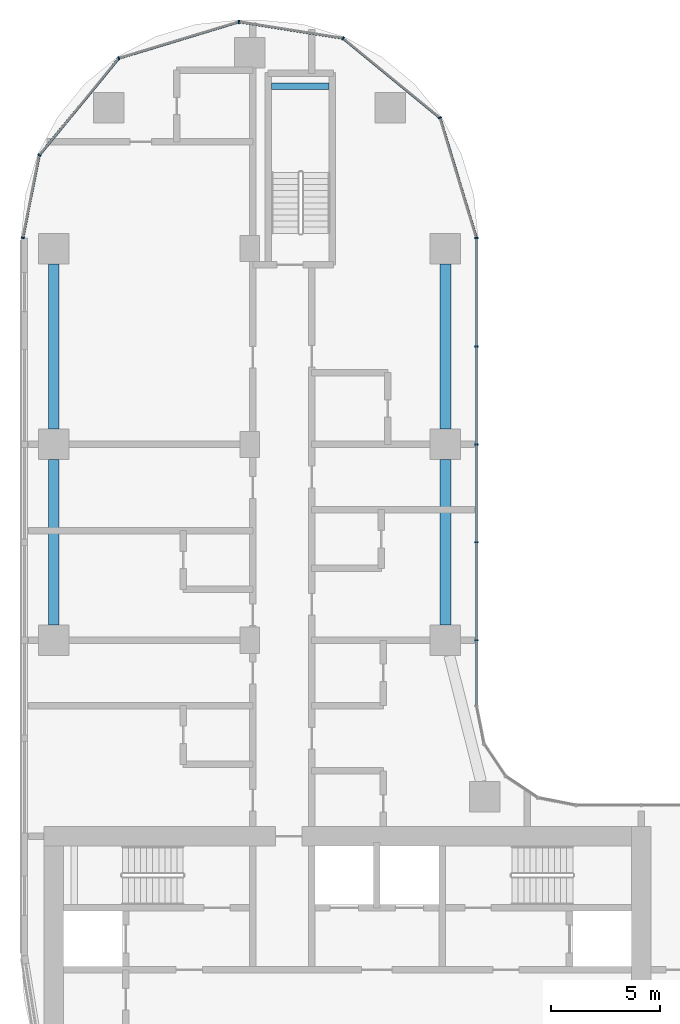
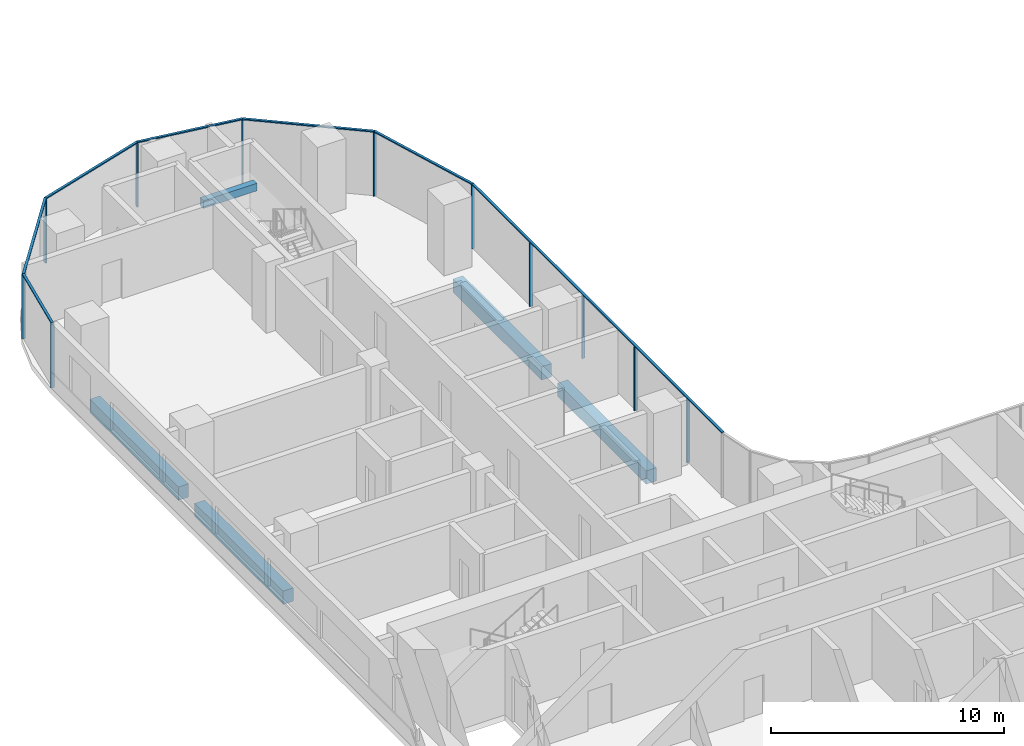
# One storey, part 6 of 33: 18 members, 5 beams, 2 elements without a shape of their own.
"""IFC4 building model written with IfcOpenShell, lengths in metres."""

from ifc_helpers import new_model, si_unit, direction, frame, origin, origin_2d, place, context, subcontext, project, spatial, rectangle, extrude, material, material_profile, profile_set, type_object, element, aggregate, save


model = new_model("IFC4")

# Units and contexts
model_context = context("Model", 3, precision=1e-05, world=origin(), true_north=direction((0.0, 1.0)))
body_context = subcontext(model_context, "Body", "Model", "MODEL_VIEW")
ifc_project = project(units=[si_unit("LENGTHUNIT", "METRE"), si_unit("AREAUNIT", "SQUARE_METRE"), si_unit("VOLUMEUNIT", "CUBIC_METRE"), si_unit("PLANEANGLEUNIT", "RADIAN"), si_unit("MASSUNIT", "GRAM", prefix="KILO")], contexts=[model_context])

# Site, building, storey
site_placement = place(None, origin())
site = spatial("IfcSite", under=ifc_project, at=site_placement, CompositionType="ELEMENT")
building_placement = place(site_placement, origin())
building = spatial("IfcBuilding", under=site, at=building_placement, Name="Ogive Portal Towers", CompositionType="ELEMENT")
storey_placement = place(building_placement, frame((0.0, 0.0, 77.89990234375)))
storey = spatial("IfcBuildingStorey", under=building, at=storey_placement, Name="L18", CompositionType="ELEMENT", Elevation=77.89990234375)

# Beam
ifc_material_1 = material(Name="Concrete C40/50", Category="concrete")
ifc_material_profile_1 = material_profile(ifc_material_1, rectangle(XDim=0.300048828125, YDim=0.39990234375, at=origin_2d()), Name="RC 300x400")
ifc_profile_set_1 = profile_set([ifc_material_profile_1], Name="Concrete C40/50")
beam_type_1 = type_object("IfcBeamType", Name="BEAM RC 300x400", PredefinedType="BEAM", material=ifc_profile_set_1)
beam_placement = place(storey_placement, frame((41.5, 73.949951171875, 1.4501953125), z_axis=(1.0, 0.0, 0.0), x_axis=(0.0, 1.0, 0.0)))
element("IfcBeam", 1, at=beam_placement, inside=storey, type_object=beam_type_1, Name="Landing beam L18", PredefinedType="BEAM", context=body_context, shape_type="SweptSolid", body=[
    extrude(rectangle(XDim=0.300048828125, YDim=0.39990234375, at=origin_2d()), origin(), (0.0, 0.0, 1.0), 2.64990234375),
])

# Curtain wall, members
ifc_material_2 = material(Name="Glass, clear low-iron insulated glazing", Category="glass")
curtain_wall_type = type_object("IfcCurtainWallType", Name="CW FRONT RIBBON 4500", PredefinedType="NOTDEFINED", material=ifc_material_2)
curtain_wall_1_placement = place(storey_placement, origin())
curtain_wall_1 = element("IfcCurtainWall", 2, at=curtain_wall_1_placement, inside=storey, type_object=curtain_wall_type, Name="A:L18:f17:cw0", PredefinedType="NOTDEFINED")
ifc_material_3 = material(Name="Aluminium 6063 anodised", Category="aluminium")
ifc_material_profile_2 = material_profile(ifc_material_3, rectangle(XDim=0.159912109375, YDim=0.06005859375, at=origin_2d()), Name="AL 60x160")
ifc_profile_set_2 = profile_set([ifc_material_profile_2], Name="Aluminium 6063 anodised")
member_type_1 = type_object("IfcMemberType", Name="CW MULLION 60x160", PredefinedType="MULLION", material=ifc_profile_set_2)
member_1_placement = place(storey_placement, frame((50.919921875, 48.5, 0.0), z_axis=(0.0, 0.0, 1.0), x_axis=(-1.0, 0.0, 0.0)))
member_1 = element("IfcMember", 3, at=member_1_placement, type_object=member_type_1, Name="mullion", PredefinedType="MULLION", context=body_context, shape_type="SweptSolid", body=[
    extrude(rectangle(XDim=0.159912109375, YDim=0.06005859375, at=origin_2d()), origin(), (0.0, 0.0, 1.0), 3.340087890625),
])
member_2_placement = place(storey_placement, frame((50.919921875, 53.0, 0.0), z_axis=(0.0, 0.0, 1.0), x_axis=(-1.0, 0.0, 0.0)))
member_2 = element("IfcMember", 4, at=member_2_placement, type_object=member_type_1, Name="mullion", PredefinedType="MULLION", context=body_context, shape_type="SweptSolid", body=[
    extrude(rectangle(XDim=0.159912109375, YDim=0.06005859375, at=origin_2d()), origin(), (0.0, 0.0, 1.0), 3.340087890625),
])
member_3_placement = place(storey_placement, frame((50.919921875, 57.5, 0.0), z_axis=(0.0, 0.0, 1.0), x_axis=(-1.0, 0.0, 0.0)))
member_3 = element("IfcMember", 5, at=member_3_placement, type_object=member_type_1, Name="mullion", PredefinedType="MULLION", context=body_context, shape_type="SweptSolid", body=[
    extrude(rectangle(XDim=0.159912109375, YDim=0.06005859375, at=origin_2d()), origin(), (0.0, 0.0, 1.0), 3.340087890625),
])
member_4_placement = place(storey_placement, frame((50.919921875, 62.0, 0.0), z_axis=(0.0, 0.0, 1.0), x_axis=(-1.0, 0.0, 0.0)))
member_4 = element("IfcMember", 6, at=member_4_placement, type_object=member_type_1, Name="mullion", PredefinedType="MULLION", context=body_context, shape_type="SweptSolid", body=[
    extrude(rectangle(XDim=0.159912109375, YDim=0.06005859375, at=origin_2d()), origin(), (0.0, 0.0, 1.0), 3.340087890625),
])
member_5_placement = place(storey_placement, frame((50.919921875, 66.988037109375, 0.0), z_axis=(0.0, 0.0, 1.0), x_axis=(-1.0, 0.0, 0.0)))
member_5 = element("IfcMember", 7, at=member_5_placement, type_object=member_type_1, Name="mullion", PredefinedType="MULLION", context=body_context, shape_type="SweptSolid", body=[
    extrude(rectangle(XDim=0.159912109375, YDim=0.06005859375, at=origin_2d()), origin(), (0.0, 0.0, 1.0), 3.340087890625),
])

curtain_wall_2_placement = place(storey_placement, origin())
curtain_wall_2 = element("IfcCurtainWall", 8, at=curtain_wall_2_placement, inside=storey, type_object=curtain_wall_type, Name="A:L18:f18:cwa", PredefinedType="NOTDEFINED")
member_6_placement = place(storey_placement, frame((49.2451171875, 72.50927734375, 0.0), z_axis=(0.0, 0.0, 1.0), x_axis=(-0.956940335732, -0.290284677254, 0.0)))
member_6 = element("IfcMember", 9, at=member_6_placement, type_object=member_type_1, Name="mullion", PredefinedType="MULLION", context=body_context, shape_type="SweptSolid", body=[
    extrude(rectangle(XDim=0.159912109375, YDim=0.06005859375, at=origin_2d()), origin(), (0.0, 0.0, 1.0), 3.340087890625),
])
member_7_placement = place(storey_placement, frame((44.79296875, 76.1630859375, 0.0), z_axis=(0.0, 0.0, 1.0), x_axis=(-0.634393284164, -0.773010453363, 0.0)))
member_7 = element("IfcMember", 10, at=member_7_placement, type_object=member_type_1, Name="mullion", PredefinedType="MULLION", context=body_context, shape_type="SweptSolid", body=[
    extrude(rectangle(XDim=0.159912109375, YDim=0.06005859375, at=origin_2d()), origin(), (0.0, 0.0, 1.0), 3.340087890625),
])
member_8_placement = place(storey_placement, frame((40.005615234375, 76.918212890625, 0.0), z_axis=(0.0, 0.0, 1.0), x_axis=(-0.155777466355, -0.987792174992, 0.0)))
member_8 = element("IfcMember", 11, at=member_8_placement, type_object=member_type_1, Name="mullion", PredefinedType="MULLION", context=body_context, shape_type="SweptSolid", body=[
    extrude(rectangle(XDim=0.159912109375, YDim=0.06005859375, at=origin_2d()), origin(), (0.0, 0.0, 1.0), 3.340087890625),
])
member_9_placement = place(storey_placement, frame((34.49072265625, 75.2451171875, 0.0), z_axis=(0.0, 0.0, 1.0), x_axis=(0.290284677254, -0.956940335732, 0.0)))
member_9 = element("IfcMember", 12, at=member_9_placement, type_object=member_type_1, Name="mullion", PredefinedType="MULLION", context=body_context, shape_type="SweptSolid", body=[
    extrude(rectangle(XDim=0.159912109375, YDim=0.06005859375, at=origin_2d()), origin(), (0.0, 0.0, 1.0), 3.340087890625),
])
member_10_placement = place(storey_placement, frame((30.835693359375, 70.79150390625, 0.0), z_axis=(0.0, 0.0, 1.0), x_axis=(0.773010453363, -0.634393284164, 0.0)))
member_10 = element("IfcMember", 13, at=member_10_placement, type_object=member_type_1, Name="mullion", PredefinedType="MULLION", context=body_context, shape_type="SweptSolid", body=[
    extrude(rectangle(XDim=0.159912109375, YDim=0.06005859375, at=origin_2d()), origin(), (0.0, 0.0, 1.0), 3.340087890625),
])
member_11_placement = place(storey_placement, frame((30.080078125, 66.9921875, 0.0), z_axis=(0.0, 0.0, 1.0), x_axis=(0.980785280403, -0.195090322016, 0.0)))
member_11 = element("IfcMember", 14, at=member_11_placement, type_object=member_type_1, Name="mullion", PredefinedType="MULLION", context=body_context, shape_type="SweptSolid", body=[
    extrude(rectangle(XDim=0.159912109375, YDim=0.06005859375, at=origin_2d()), origin(), (0.0, 0.0, 1.0), 3.340087890625),
])

# Member
ifc_material_profile_3 = material_profile(ifc_material_3, rectangle(XDim=0.1201171875, YDim=0.06005859375, at=origin_2d()), Name="AL 120x60")
ifc_profile_set_3 = profile_set([ifc_material_profile_3], Name="Aluminium 6063 anodised")
member_type_2 = type_object("IfcMemberType", Name="CW TRANSOM 60x120", PredefinedType="USERDEFINED", material=ifc_profile_set_3)
member_12_placement = place(storey_placement, frame((50.919921875, 45.4921875, 3.3701171875), z_axis=(0.0, 1.0, 0.0), x_axis=(-1.0, 0.0, 0.0)))
member_12 = element("IfcMember", 15, at=member_12_placement, type_object=member_type_2, Name="transom", ObjectType="TRANSOM", PredefinedType="USERDEFINED", context=body_context, shape_type="SweptSolid", body=[
    extrude(rectangle(XDim=0.1201171875, YDim=0.06005859375, at=origin_2d()), origin(), (0.0, 0.0, 1.0), 21.495849609375),
])

aggregate(curtain_wall_1, [member_12, member_1, member_2, member_3, member_4, member_5])

member_13_placement = place(storey_placement, frame((50.919921875, 66.988037109375, 3.3701171875), z_axis=(-0.290277499028, 0.956942513194, 0.0), x_axis=(-0.956942513194, -0.290277499028, 0.0)))
member_13 = element("IfcMember", 16, at=member_13_placement, type_object=member_type_2, Name="transom", ObjectType="TRANSOM", PredefinedType="USERDEFINED", context=body_context, shape_type="SweptSolid", body=[
    extrude(rectangle(XDim=0.1201171875, YDim=0.06005859375, at=origin_2d()), origin(), (0.0, 0.0, 1.0), 5.769775390625),
])

member_14_placement = place(storey_placement, frame((49.2451171875, 72.50927734375, 3.3701171875), z_axis=(-0.773008341981, 0.634395856881, 0.0), x_axis=(-0.634395856881, -0.773008341981, 0.0)))
member_14 = element("IfcMember", 17, at=member_14_placement, type_object=member_type_2, Name="transom", ObjectType="TRANSOM", PredefinedType="USERDEFINED", context=body_context, shape_type="SweptSolid", body=[
    extrude(rectangle(XDim=0.1201171875, YDim=0.06005859375, at=origin_2d()), origin(), (0.0, 0.0, 1.0), 5.759521484375),
])

member_15_placement = place(storey_placement, frame((44.79296875, 76.1630859375, 3.3701171875), z_axis=(-0.987787459497, 0.155807364589, 0.0), x_axis=(-0.155807364589, -0.987787459497, 0.0)))
member_15 = element("IfcMember", 18, at=member_15_placement, type_object=member_type_2, Name="transom", ObjectType="TRANSOM", PredefinedType="USERDEFINED", context=body_context, shape_type="SweptSolid", body=[
    extrude(rectangle(XDim=0.1201171875, YDim=0.06005859375, at=origin_2d()), origin(), (0.0, 0.0, 1.0), 4.846435546875),
])

member_16_placement = place(storey_placement, frame((40.005615234375, 76.918212890625, 3.3701171875), z_axis=(-0.956932077168, -0.290311900697, 0.0), x_axis=(0.290311900697, -0.956932077168, 0.0)))
member_16 = element("IfcMember", 19, at=member_16_placement, type_object=member_type_2, Name="transom", ObjectType="TRANSOM", PredefinedType="USERDEFINED", context=body_context, shape_type="SweptSolid", body=[
    extrude(rectangle(XDim=0.1201171875, YDim=0.06005859375, at=origin_2d()), origin(), (0.0, 0.0, 1.0), 5.76318359375),
])

member_17_placement = place(storey_placement, frame((34.49072265625, 75.2451171875, 3.3701171875), z_axis=(-0.63439777858, -0.773006764869, 0.0), x_axis=(0.773006764869, -0.63439777858, 0.0)))
member_17 = element("IfcMember", 20, at=member_17_placement, type_object=member_type_2, Name="transom", ObjectType="TRANSOM", PredefinedType="USERDEFINED", context=body_context, shape_type="SweptSolid", body=[
    extrude(rectangle(XDim=0.1201171875, YDim=0.06005859375, at=origin_2d()), origin(), (0.0, 0.0, 1.0), 5.761474609375),
])

member_18_placement = place(storey_placement, frame((30.835693359375, 70.79150390625, 3.3701171875), z_axis=(-0.195061569373, -0.980790999221, 0.0), x_axis=(0.980790999221, -0.195061569373, 0.0)))
member_18 = element("IfcMember", 21, at=member_18_placement, type_object=member_type_2, Name="transom", ObjectType="TRANSOM", PredefinedType="USERDEFINED", context=body_context, shape_type="SweptSolid", body=[
    extrude(rectangle(XDim=0.1201171875, YDim=0.06005859375, at=origin_2d()), origin(), (0.0, 0.0, 1.0), 3.873779296875),
])

aggregate(curtain_wall_2, [member_13, member_14, member_15, member_16, member_17, member_18, member_6, member_7, member_8, member_9, member_10, member_11])

# Beams
ifc_material_profile_4 = material_profile(ifc_material_1, rectangle(XDim=0.5, YDim=0.699951171875, at=origin_2d()), Name="RC 500x700")
ifc_profile_set_4 = profile_set([ifc_material_profile_4], Name="Concrete C40/50")
beam_type_2 = type_object("IfcBeamType", Name="SPANDREL BEAM RC 500x700", PredefinedType="BEAM", material=ifc_profile_set_4)
for number, where, z_axis, x_axis, name in (
    (22, (31.5, 49.199951171875, -0.64990234375), (0.0, 1.0, 0.0), (-1.0, 0.0, 0.0), "Spandrel beam L18"),
    (23, (31.5, 58.199951171875, -0.64990234375), (0.0, 1.0, 0.0), (-1.0, 0.0, 0.0), "Spandrel beam L18"),
    (24, (49.5, 65.800048828125, -0.64990234375), (0.0, -1.0, 0.0), (1.0, 0.0, 0.0), "Spandrel beam L18"),
    (25, (49.5, 56.800048828125, -0.64990234375), (0.0, -1.0, 0.0), (1.0, 0.0, 0.0), "Spandrel beam L18"),
):
    element("IfcBeam", number, at=place(storey_placement, frame(where, z_axis=z_axis, x_axis=x_axis)), inside=storey, type_object=beam_type_2, Name=name, PredefinedType="BEAM", context=body_context, shape_type="SweptSolid", body=[
        extrude(rectangle(XDim=0.5, YDim=0.699951171875, at=origin_2d()), origin(), (0.0, 0.0, 1.0), 7.60009765625),
    ])

save(model, "model.ifc")
